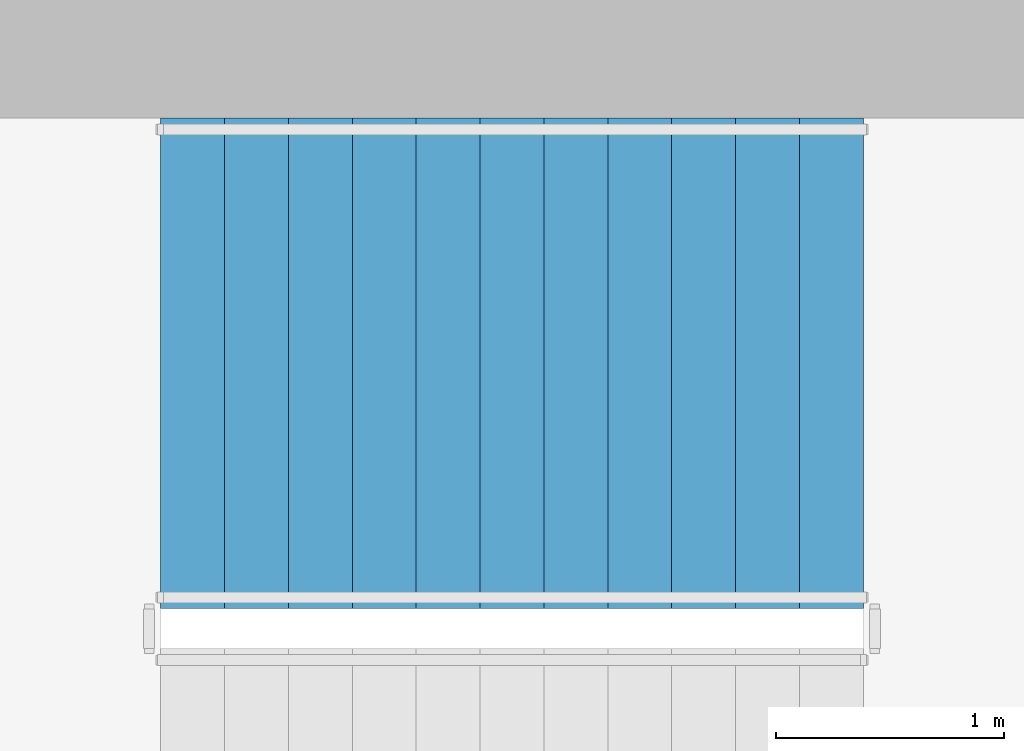
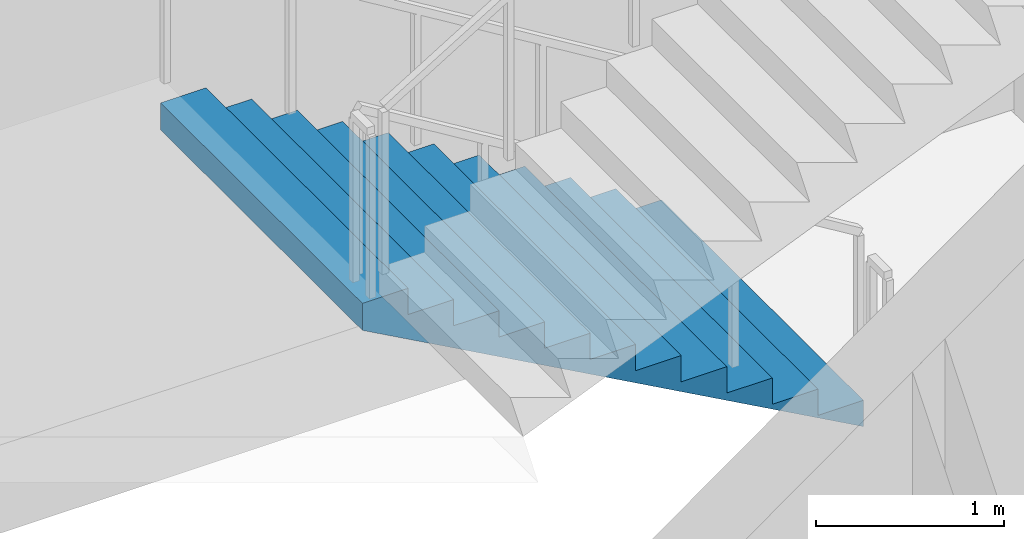
# One storey, part 13 of 18: 1 stair flight, 1 element without a shape of its own.
"""IFC4 building model written with IfcOpenShell, lengths in metres."""

import ifcopenshell
import ifcopenshell.guid

model = None  # the IFC model being written
_history = None  # IfcOwnerHistory: only IFC2X3 demands one
_inside = {}  # id of a spatial element -> (the spatial element, [elements in it])
_under = {}  # id of a project, library or spatial element -> (it, [spatial elements below it])
_declared = {}  # id of a project -> (the project, [libraries it declares])
_typed = {}  # id of a type object -> (the type object, [elements of that type])
_made_of = {}  # id of a material, layer set ... -> (it, [elements and type objects made of it])


def new_model(schema):
    """Start an empty IFC model of exactly this schema.

    Asked for "IFC4X3", IfcOpenShell would pick the latest addendum, in which some entities
    have other attributes; the version numbers below select the first issue.
    IFC2X3 requires an IfcOwnerHistory on every rooted entity: one is made here for all.
    """
    global model, _history
    if schema == "IFC4X3":
        model = ifcopenshell.file(schema_version=(4, 3, 0, 0))
    else:
        model = ifcopenshell.file(schema=schema)
    _inside.clear()
    _under.clear()
    _declared.clear()
    _typed.clear()
    _made_of.clear()
    _history = None
    if model.schema == "IFC2X3":
        org = make("IfcOrganization", Name="unknown")
        user = make(
            "IfcPersonAndOrganization",
            ThePerson=make("IfcPerson", FamilyName="unknown"),
            TheOrganization=org,
        )
        app = make(
            "IfcApplication",
            ApplicationDeveloper=org,
            Version="unknown",
            ApplicationFullName="unknown",
            ApplicationIdentifier="unknown",
        )
        _history = make(
            "IfcOwnerHistory",
            OwningUser=user,
            OwningApplication=app,
            ChangeAction="ADDED",
            CreationDate=0,
        )
    return model


def make(cls, **values):
    """One entity of the class cls with the attributes given. An attribute that is None is left unset."""
    return model.create_entity(
        cls, **{name: value for name, value in values.items() if value is not None}
    )


def rooted(cls, **values):
    """An entity with a GlobalId (a new one), such as an element, a storey or a relation."""
    return make(cls, GlobalId=ifcopenshell.guid.new(), OwnerHistory=_history, **values)


def si_unit(unit_type, name, prefix=None):
    """IfcSIUnit, for example si_unit("LENGTHUNIT", "METRE", prefix="MILLI")."""
    return make("IfcSIUnit", UnitType=unit_type, Prefix=prefix, Name=name)


def assignment(units):
    """IfcUnitAssignment: the units of a project."""
    return None if units is None else make("IfcUnitAssignment", Units=units)


def point(xyz):
    """IfcCartesianPoint."""
    return None if xyz is None else make("IfcCartesianPoint", Coordinates=xyz)


def direction(xyz):
    """IfcDirection."""
    return None if xyz is None else make("IfcDirection", DirectionRatios=xyz)


def frame(location, z_axis=None, x_axis=None):
    """IfcAxis2Placement3D, a coordinate frame: its origin and axes. An axis left out is left unset."""
    return make(
        "IfcAxis2Placement3D",
        Location=point(location),
        Axis=direction(z_axis),
        RefDirection=direction(x_axis),
    )


def origin():
    """The frame at (0, 0, 0) with its axes left unset."""
    return frame((0.0, 0.0, 0.0))


def place(relative_to, where):
    """IfcLocalPlacement: puts the frame where relative to a parent placement (None: the world)."""
    return make(
        "IfcLocalPlacement", PlacementRelTo=relative_to, RelativePlacement=where
    )


def context(
    kind, dimensions, precision=None, world=None, true_north=None, identifier=None
):
    """IfcGeometricRepresentationContext, for example the 3D "Model" context."""
    return make(
        "IfcGeometricRepresentationContext",
        ContextIdentifier=identifier,
        ContextType=kind,
        CoordinateSpaceDimension=dimensions,
        Precision=precision,
        WorldCoordinateSystem=world,
        TrueNorth=true_north,
    )


def subcontext(parent, identifier, kind, view, scale=None):
    """IfcGeometricRepresentationSubContext, for example "Body" below "Model"."""
    return make(
        "IfcGeometricRepresentationSubContext",
        ContextIdentifier=identifier,
        ContextType=kind,
        ParentContext=parent,
        TargetScale=scale,
        TargetView=view,
    )


def project(units=None, contexts=None):
    """IfcProject with its units and contexts."""
    return rooted(
        "IfcProject",
        Name="project",
        RepresentationContexts=contexts,
        UnitsInContext=assignment(units),
    )


def spatial(cls, under=None, at=None, **own):
    """A site, building, storey or space (cls), placed at a placement, below another one or the project."""
    s = rooted(cls, ObjectPlacement=at, **own)
    if under is not None:
        _under.setdefault(under.id(), (under, []))[1].append(s)
    return s


def point_list(points):
    """IfcCartesianPointList2D or 3D."""
    cls = (
        "IfcCartesianPointList2D" if len(points[0]) == 2 else "IfcCartesianPointList3D"
    )
    return make(cls, CoordList=points)


def triangles(points, corners, closed=None, point_numbers=None):
    """IfcTriangulatedFaceSet: each triangle names its three corners, points numbered from 1."""
    return make(
        "IfcTriangulatedFaceSet",
        Coordinates=point_list(points),
        Closed=closed,
        CoordIndex=corners,
        PnIndex=point_numbers,
    )


def shape(context_of_items, identifier, shape_type, items):
    """IfcShapeRepresentation: the items that make up one representation, for example the "Body"."""
    return make(
        "IfcShapeRepresentation",
        ContextOfItems=context_of_items,
        RepresentationIdentifier=identifier,
        RepresentationType=shape_type,
        Items=items,
    )


def material(Name=None, Category=None):
    """IfcMaterial."""
    return make("IfcMaterial", Name=Name, Category=Category)


def made_of(thing, what):
    """Note that an element or type object is made of a material, layer set ...; save() writes the relation."""
    if what is not None:
        _made_of.setdefault(what.id(), (what, []))[1].append(thing)
    return thing


def type_object(cls, material=None, **own):
    """A type object (cls), such as IfcWallType, which elements share."""
    return made_of(rooted(cls, **own), material)


def element(
    cls,
    number,
    at=None,
    inside=None,
    cuts=None,
    type_object=None,
    material=None,
    context=None,
    identifier="Body",
    shape_type=None,
    held_by="IfcProductDefinitionShape",
    body=None,
    shapes=None,
    **own,
):
    """One element of the class cls, such as IfcWall. Its Tag is "e" and its number.

    at: its placement. inside: the storey or other place that contains it. cuts: it is an
    opening in that element (IfcRelVoidsElement). A single representation is given by context,
    identifier, shape_type and body (its items); several are given by shapes. held_by: the class
    of the entity that holds the representations. save() writes the other relations.
    """
    e = rooted(cls, Tag="e%d" % number, ObjectPlacement=at, **own)
    if body is not None:
        shapes = [shape(context, identifier, shape_type, body)]
    if shapes is not None:
        e.Representation = make(held_by, Representations=shapes)
    if inside is not None:
        _inside.setdefault(inside.id(), (inside, []))[1].append(e)
    if cuts is not None:
        rooted(
            "IfcRelVoidsElement", RelatingBuildingElement=cuts, RelatedOpeningElement=e
        )
    if type_object is not None:
        _typed.setdefault(type_object.id(), (type_object, []))[1].append(e)
    return made_of(e, material)


def aggregate(whole, parts):
    """IfcRelAggregates: a whole, such as a stair, and the parts it consists of."""
    return rooted("IfcRelAggregates", RelatingObject=whole, RelatedObjects=parts)


def save(model, path):
    """Write the relations noted so far, then the file.

    IfcRelAggregates (storeys below a building ...), IfcRelContainedInSpatialStructure (elements
    in a storey), IfcRelDefinesByType, IfcRelAssociatesMaterial and IfcRelDeclares: one each for
    every whole, place, type object, material and project.
    """
    for whole, parts in _under.values():
        aggregate(whole, parts)
    for where, things in _inside.values():
        rooted(
            "IfcRelContainedInSpatialStructure",
            RelatedElements=things,
            RelatingStructure=where,
        )
    for kind, things in _typed.values():
        rooted("IfcRelDefinesByType", RelatedObjects=things, RelatingType=kind)
    for what, things in _made_of.values():
        rooted("IfcRelAssociatesMaterial", RelatedObjects=things, RelatingMaterial=what)
    for by, libraries in _declared.values():
        rooted("IfcRelDeclares", RelatingContext=by, RelatedDefinitions=libraries)
    model.write(path)


model = new_model("IFC4")

# Units and contexts
model_context = context("Model", 3, precision=1e-05, world=origin(), true_north=direction((0.0, 1.0)))
body_context = subcontext(model_context, "Body", "Model", "MODEL_VIEW")
ifc_project = project(units=[si_unit("LENGTHUNIT", "METRE"), si_unit("AREAUNIT", "SQUARE_METRE"), si_unit("VOLUMEUNIT", "CUBIC_METRE"), si_unit("PLANEANGLEUNIT", "RADIAN"), si_unit("MASSUNIT", "GRAM", prefix="KILO")], contexts=[model_context])

# Site, building, storey
site_placement = place(None, origin())
site = spatial("IfcSite", under=ifc_project, at=site_placement, CompositionType="ELEMENT")
building_placement = place(site_placement, origin())
building = spatial("IfcBuilding", under=site, at=building_placement, Name="Cypress Arch Tower", CompositionType="ELEMENT")
storey_placement = place(building_placement, frame((0.0, 0.0, 288.5)))
storey = spatial("IfcBuildingStorey", under=building, at=storey_placement, Name="L65", CompositionType="ELEMENT", Elevation=288.5)

# Stair, stair flight
ifc_material_1 = material(Name="Concrete C40/50", Category="concrete")
stair_type = type_object("IfcStairType", Name="Exit stair ES1708-215", PredefinedType="HALF_TURN_STAIR", material=ifc_material_1)
stair_placement = place(storey_placement, origin())
stair = element("IfcStair", 1, at=stair_placement, inside=storey, type_object=stair_type, Name="L65 Exit stair B", PredefinedType="HALF_TURN_STAIR")
ifc_material_2 = material(Name="Concrete C40/50", Category="concrete")
stair_flight_type = type_object("IfcStairFlightType", Name="Exit stair flight ES1708-215", PredefinedType="STRAIGHT", material=ifc_material_2)
stair_flight_placement = place(storey_placement, frame((-22.27490234375, 13.72509765625, 0.0), z_axis=(0.0, 0.0, 1.0), x_axis=(-1.0, 0.0, 0.0)))
stair_flight = element("IfcStairFlight", 2, at=stair_flight_placement, type_object=stair_flight_type, Name="B flight 1", NumberOfRisers=12, NumberOfTreads=11, PredefinedType="STRAIGHT", RiserHeight=0.170833333, TreadLength=0.28, context=body_context, shape_type="Tessellation", body=[
    triangles([(0.0, -1.074951171875, 0.0), (0.000244140625, -1.074951171875, 0.01904296875), (0.000244140625, -1.074951171875, 0.0380859375), (0.00048828125, -1.074951171875, 0.056884765625), (0.00048828125, -1.074951171875, 0.075927734375), (0.00048828125, -1.074951171875, 0.094970703125), (0.00048828125, -1.074951171875, 0.114013671875), (0.000244140625, -1.074951171875, 0.1328125), (0.000244140625, -1.074951171875, 0.15185546875), (0.0, -1.074951171875, 0.1708984375), (0.280029296875, -1.074951171875, 0.1708984375), (0.280029296875, -1.074951171875, 0.341552734375), (0.56005859375, -1.074951171875, 0.341552734375), (0.56005859375, -1.074951171875, 0.512451171875), (0.840087890625, -1.074951171875, 0.512451171875), (0.840087890625, -1.074951171875, 0.683349609375), (1.1201171875, -1.074951171875, 0.683349609375), (1.1201171875, -1.074951171875, 0.854248046875), (1.39990234375, -1.074951171875, 0.854248046875), (1.39990234375, -1.074951171875, 1.02490234375), (1.679931640625, -1.074951171875, 1.02490234375), (1.679931640625, -1.074951171875, 1.19580078125), (1.9599609375, -1.074951171875, 1.19580078125), (1.9599609375, -1.074951171875, 1.36669921875), (2.239990234375, -1.074951171875, 1.36669921875), (2.239990234375, -1.074951171875, 1.53759765625), (2.52001953125, -1.074951171875, 1.53759765625), (2.52001953125, -1.074951171875, 1.708251953125), (2.800048828125, -1.074951171875, 1.708251953125), (2.800048828125, -1.074951171875, 1.879150390625), (3.080078125, -1.074951171875, 1.879150390625), (3.079833984375, -1.074951171875, 1.859619140625), (3.079833984375, -1.074951171875, 1.840087890625), (3.07958984375, -1.074951171875, 1.820556640625), (3.07958984375, -1.074951171875, 1.801025390625), (3.07958984375, -1.074951171875, 1.78173828125), (3.07958984375, -1.074951171875, 1.76220703125), (3.079833984375, -1.074951171875, 1.74267578125), (3.079833984375, -1.074951171875, 1.72314453125), (3.080078125, -1.074951171875, 1.70361328125), (3.080078125, 1.074951171875, 1.70361328125), (3.079833984375, 1.074951171875, 1.72314453125), (3.079833984375, 1.074951171875, 1.74267578125), (3.07958984375, 1.074951171875, 1.76220703125), (3.07958984375, 1.074951171875, 1.78173828125), (3.07958984375, 1.074951171875, 1.801025390625), (3.07958984375, 1.074951171875, 1.820556640625), (3.079833984375, 1.074951171875, 1.840087890625), (3.079833984375, 1.074951171875, 1.859619140625), (3.080078125, 1.074951171875, 1.879150390625), (2.800048828125, 1.074951171875, 1.879150390625), (2.800048828125, 1.074951171875, 1.708251953125), (2.52001953125, 1.074951171875, 1.708251953125), (2.52001953125, 1.074951171875, 1.53759765625), (2.239990234375, 1.074951171875, 1.53759765625), (2.239990234375, 1.074951171875, 1.36669921875), (1.9599609375, 1.074951171875, 1.36669921875), (1.9599609375, 1.074951171875, 1.19580078125), (1.679931640625, 1.074951171875, 1.19580078125), (1.679931640625, 1.074951171875, 1.02490234375), (1.39990234375, 1.074951171875, 1.02490234375), (1.39990234375, 1.074951171875, 0.854248046875), (1.1201171875, 1.074951171875, 0.854248046875), (1.1201171875, 1.074951171875, 0.683349609375), (0.840087890625, 1.074951171875, 0.683349609375), (0.840087890625, 1.074951171875, 0.512451171875), (0.56005859375, 1.074951171875, 0.512451171875), (0.56005859375, 1.074951171875, 0.341552734375), (0.280029296875, 1.074951171875, 0.341552734375), (0.280029296875, 1.074951171875, 0.1708984375), (0.0, 1.074951171875, 0.1708984375), (0.000244140625, 1.074951171875, 0.15185546875), (0.000244140625, 1.074951171875, 0.1328125), (0.00048828125, 1.074951171875, 0.114013671875), (0.00048828125, 1.074951171875, 0.094970703125), (0.00048828125, 1.074951171875, 0.075927734375), (0.00048828125, 1.074951171875, 0.056884765625), (0.000244140625, 1.074951171875, 0.0380859375), (0.000244140625, 1.074951171875, 0.01904296875), (0.0, 1.074951171875, 0.0)], [[40, 39, 30], [39, 38, 30], [38, 37, 30], [37, 36, 30], [36, 35, 30], [35, 34, 30], [34, 33, 30], [33, 32, 30], [32, 31, 30], [19, 18, 17], [27, 26, 25], [25, 24, 23], [23, 22, 21], [17, 16, 15], [15, 14, 13], [10, 9, 11], [9, 8, 11], [8, 7, 11], [7, 6, 11], [6, 5, 11], [5, 4, 11], [4, 3, 11], [3, 2, 11], [2, 1, 11], [29, 28, 27], [21, 20, 19], [13, 12, 11], [40, 30, 29], [40, 29, 27], [40, 27, 25], [40, 25, 23], [40, 23, 21], [40, 21, 19], [40, 19, 17], [40, 17, 15], [40, 15, 13], [1, 40, 13], [13, 11, 1], [41, 51, 42], [42, 51, 43], [43, 51, 44], [44, 51, 45], [45, 51, 46], [46, 51, 47], [47, 51, 48], [48, 51, 49], [49, 51, 50], [62, 64, 63], [54, 56, 55], [56, 58, 57], [58, 60, 59], [64, 66, 65], [66, 68, 67], [71, 70, 72], [72, 70, 73], [73, 70, 74], [74, 70, 75], [75, 70, 76], [76, 70, 77], [77, 70, 78], [78, 70, 79], [79, 70, 80], [52, 54, 53], [60, 62, 61], [68, 70, 69], [41, 52, 51], [41, 54, 52], [41, 56, 54], [41, 58, 56], [41, 60, 58], [41, 62, 60], [41, 64, 62], [41, 66, 64], [41, 68, 66], [80, 68, 41], [68, 80, 70], [41, 42, 39], [41, 39, 40], [42, 43, 38], [42, 38, 39], [43, 44, 37], [43, 37, 38], [44, 45, 36], [44, 36, 37], [45, 46, 35], [45, 35, 36], [46, 47, 34], [46, 34, 35], [47, 48, 33], [47, 33, 34], [48, 49, 32], [48, 32, 33], [49, 50, 31], [49, 31, 32], [50, 51, 30], [50, 30, 31], [51, 52, 29], [51, 29, 30], [52, 53, 28], [52, 28, 29], [53, 54, 27], [53, 27, 28], [54, 55, 26], [54, 26, 27], [55, 56, 25], [55, 25, 26], [56, 57, 24], [56, 24, 25], [57, 58, 23], [57, 23, 24], [58, 59, 22], [58, 22, 23], [59, 60, 21], [59, 21, 22], [60, 61, 20], [60, 20, 21], [61, 62, 19], [61, 19, 20], [62, 63, 18], [62, 18, 19], [63, 64, 17], [63, 17, 18], [64, 65, 16], [64, 16, 17], [65, 66, 15], [65, 15, 16], [66, 67, 14], [66, 14, 15], [67, 68, 13], [67, 13, 14], [68, 69, 12], [68, 12, 13], [69, 70, 11], [69, 11, 12], [70, 71, 10], [70, 10, 11], [71, 72, 9], [71, 9, 10], [72, 73, 8], [72, 8, 9], [73, 74, 7], [73, 7, 8], [74, 75, 6], [74, 6, 7], [75, 76, 5], [75, 5, 6], [76, 77, 4], [76, 4, 5], [77, 78, 3], [77, 3, 4], [78, 79, 2], [78, 2, 3], [79, 80, 1], [79, 1, 2], [80, 41, 40], [80, 40, 1]], closed=True),
])
aggregate(stair, [stair_flight])

save(model, "model.ifc")
